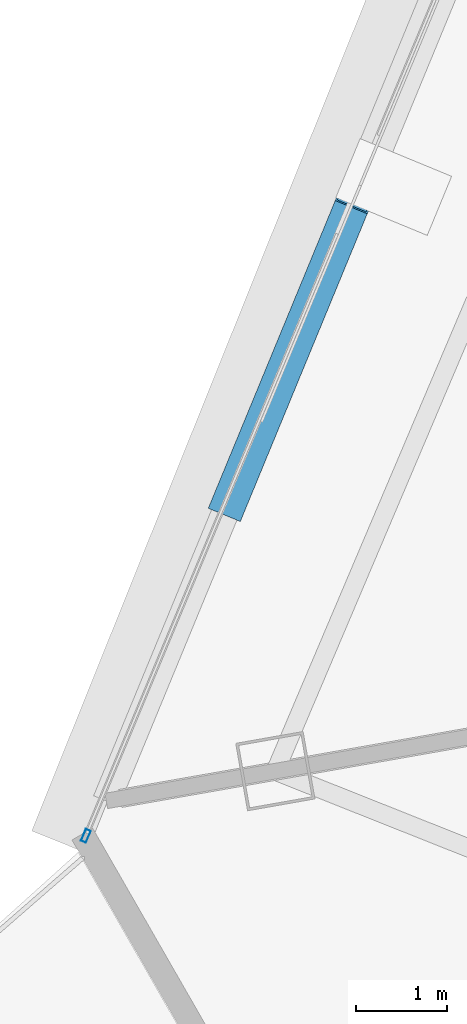
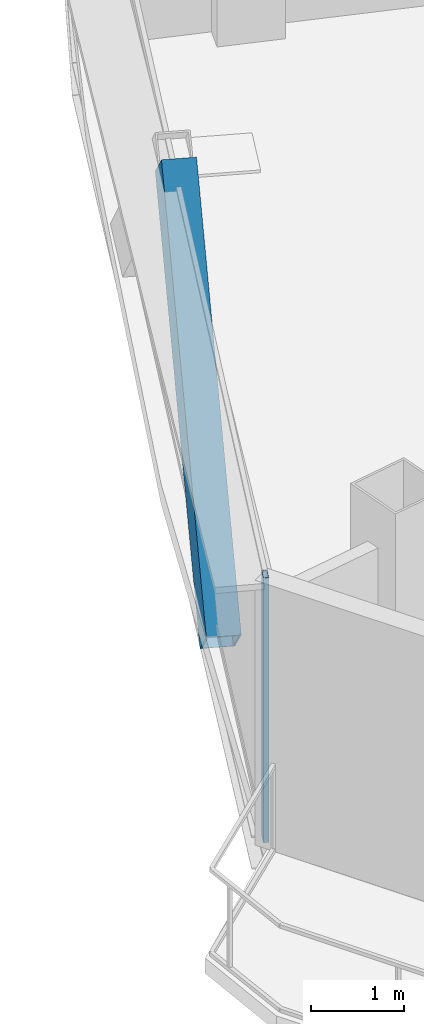
# One storey, part 4 of 33: 2 members, 1 element without a shape of its own.
"""IFC4 building model written with IfcOpenShell, lengths in metres."""

from ifc_helpers import new_model, si_unit, direction, frame, origin, origin_2d, place, context, subcontext, project, spatial, hollow_rectangle, extrude, source, transform, mapped, material, layer, layer_set, material_profile, profile_set, type_object, element, aggregate, save


model = new_model("IFC4")

# Units and contexts
model_context = context("Model", 3, precision=1e-05, world=origin(), true_north=direction((0.0, 1.0)))
body_context = subcontext(model_context, "Body", "Model", "MODEL_VIEW")
ifc_project = project(units=[si_unit("LENGTHUNIT", "METRE"), si_unit("AREAUNIT", "SQUARE_METRE"), si_unit("VOLUMEUNIT", "CUBIC_METRE"), si_unit("PLANEANGLEUNIT", "RADIAN"), si_unit("MASSUNIT", "GRAM", prefix="KILO"), si_unit("THERMODYNAMICTEMPERATUREUNIT", "KELVIN"), si_unit("POWERUNIT", "WATT")], contexts=[model_context])

# Site, building, storey
site_placement = place(None, origin())
site = spatial("IfcSite", under=ifc_project, at=site_placement, CompositionType="ELEMENT")
building_placement = place(site_placement, origin())
building = spatial("IfcBuilding", under=site, at=building_placement, Name="Yunzhuo Pagoda Commons", CompositionType="ELEMENT")
storey_placement = place(building_placement, frame((0.0, 0.0, 307.39990234375)))
storey = spatial("IfcBuildingStorey", under=building, at=storey_placement, Name="L77", CompositionType="ELEMENT", Elevation=307.39990234375)

# Member
ifc_material_1 = material(Name="Structural steel Q355B", Category="steel")
ifc_material_profile_1 = material_profile(ifc_material_1, hollow_rectangle(XDim=0.3798828125, YDim=0.719970703125, WallThickness=0.02001953125, at=origin_2d()), Name="Structural steel Q355B")
ifc_profile_set_1 = profile_set([ifc_material_profile_1], Name="Structural steel Q355B")
member_type_1 = type_object("IfcMemberType", Name="M-DL3 Brace BOX 720x380x20", PredefinedType="BRACE", material=ifc_profile_set_1)
shared_shape_1 = source(origin(), body_context, "Body", "SweptSolid", [
    extrude(hollow_rectangle(XDim=0.3798828125, YDim=0.719970703125, WallThickness=0.02001953125, at=origin_2d()), origin(), (0.0, 0.0, 1.0), 5.217041015625),
])
member_1_placement = place(storey_placement, frame((18.877197265625, 31.69140625, -0.260009765625), z_axis=(0.266597295023, 0.646300726972, 0.714997379437), x_axis=(-0.924439485935, 0.381328777885, 0.0)))
element("IfcMember", 1, at=member_1_placement, inside=storey, type_object=member_type_1, Name="L77 facade diamond brace F3.3R", PredefinedType="BRACE", context=body_context, shape_type="MappedRepresentation", body=[
    mapped(shared_shape_1, transform((0.0, 0.0, 0.0), scale=1.0)),
])

# Curtain wall, member
ifc_material_2 = material(Name="Anodized aluminium 6063-T6", Category="aluminium")
ifc_layer = layer(ifc_material_2, 0.139892578125)
ifc_layer_set = layer_set([ifc_layer], Name="Anodized aluminium 6063-T6")
curtain_wall_type = type_object("IfcCurtainWallType", Name="CW-HI High-Zone Ribbon Curtain Wall", PredefinedType="NOTDEFINED", material=ifc_layer_set)
curtain_wall_placement = place(storey_placement, origin())
curtain_wall = element("IfcCurtainWall", 2, at=curtain_wall_placement, inside=storey, type_object=curtain_wall_type, Name="L77 curtain wall CW-L77-F3B4", PredefinedType="NOTDEFINED")
ifc_material_profile_2 = material_profile(ifc_material_2, hollow_rectangle(XDim=0.06005859375, YDim=0.139892578125, WallThickness=0.00341796875, at=origin_2d()), Name="Anodized aluminium 6063-T6")
ifc_profile_set_2 = profile_set([ifc_material_profile_2], Name="Anodized aluminium 6063-T6")
member_type_2 = type_object("IfcMemberType", Name="CW-HI-M Mullion RHS 140x60x3.5", PredefinedType="MULLION", material=ifc_profile_set_2)
shared_shape_2 = source(origin(), body_context, "Body", "SweptSolid", [
    extrude(hollow_rectangle(XDim=0.06005859375, YDim=0.139892578125, WallThickness=0.00341796875, at=origin_2d()), origin(), (0.0, 0.0, 1.0), 3.47021484375),
])
member_2_placement = place(storey_placement, frame((17.26220703125, 27.9365234375, 0.0), z_axis=(0.0, 0.0, 1.0), x_axis=(0.922876210298, -0.385096741697, 0.0)))
member_2 = element("IfcMember", 3, at=member_2_placement, type_object=member_type_2, Name="CW mullion 2", PredefinedType="MULLION", context=body_context, shape_type="MappedRepresentation", body=[
    mapped(shared_shape_2, transform((0.0, 0.0, 0.0), scale=1.0)),
])
aggregate(curtain_wall, [member_2])

save(model, "model.ifc")
